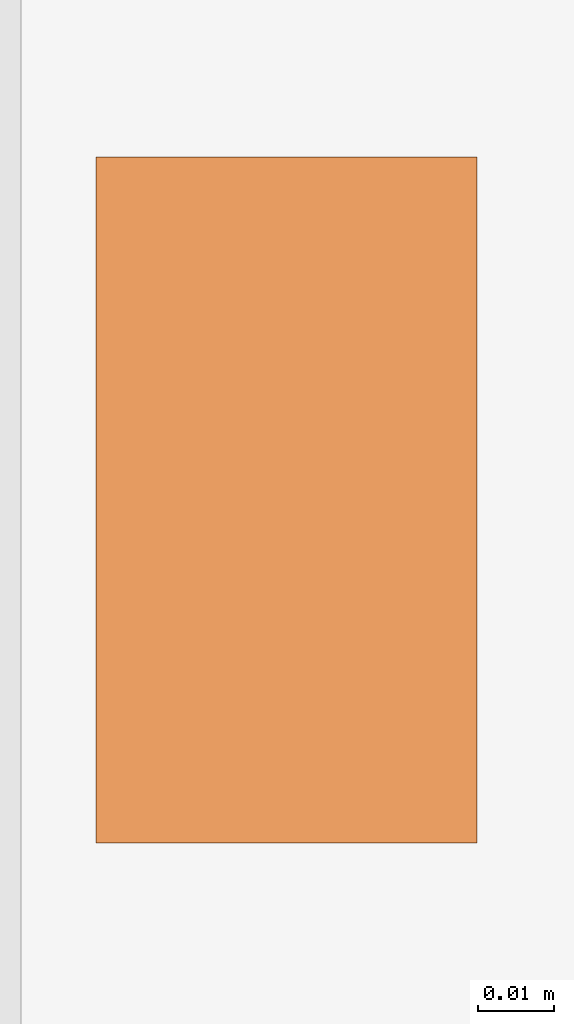
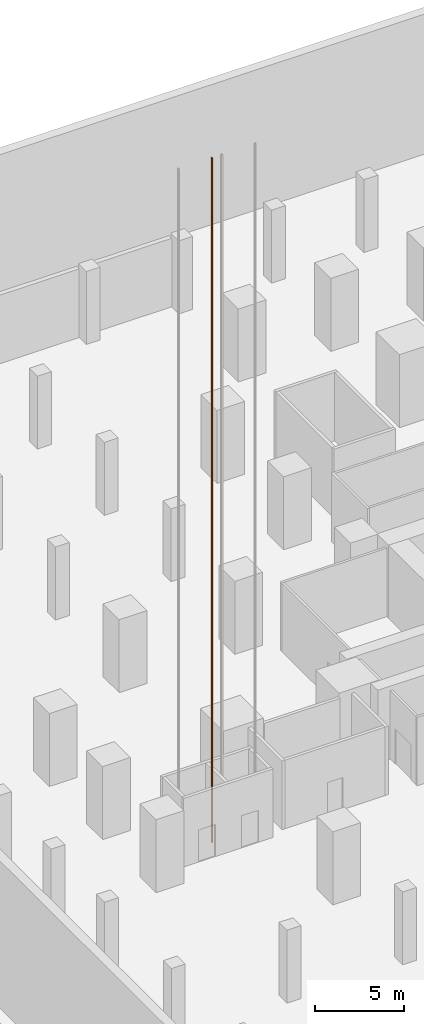
# One storey, part 25 of 31: 1 proxy.
"""IFC4 building model written with IfcOpenShell, lengths in metres."""

from ifc_helpers import new_model, si_unit, direction, frame, origin, origin_2d, place, context, subcontext, project, spatial, rectangle, extrude, material, element, save


model = new_model("IFC4")

# Units and contexts
model_context = context("Model", 3, precision=1e-05, world=origin(), true_north=direction((0.0, 1.0)))
body_context = subcontext(model_context, "Body", "Model", "MODEL_VIEW")
ifc_project = project(units=[si_unit("LENGTHUNIT", "METRE"), si_unit("AREAUNIT", "SQUARE_METRE"), si_unit("VOLUMEUNIT", "CUBIC_METRE"), si_unit("PLANEANGLEUNIT", "RADIAN"), si_unit("MASSUNIT", "GRAM", prefix="KILO")], contexts=[model_context])

# Site, building, storey
site_placement = place(None, origin())
site = spatial("IfcSite", under=ifc_project, at=site_placement, CompositionType="ELEMENT")
building_placement = place(site_placement, origin())
building = spatial("IfcBuilding", under=site, at=building_placement, Name="Mizan Broadcast Tower", CompositionType="ELEMENT")
storey_placement = place(building_placement, frame((0.0, 0.0, -10.0)))
storey = spatial("IfcBuildingStorey", under=building, at=storey_placement, Name="B2", CompositionType="ELEMENT", Elevation=-10.0)

# Proxy
ifc_material = material(Name="Steel guide rail", Category="steel")
proxy_placement = place(storey_placement, frame((-30.715087890625, -4.199951171875, 0.0), z_axis=(0.0, 0.0, 1.0), x_axis=(1.0, 0.0, 0.0)))
element("IfcBuildingElementProxy", 1, at=proxy_placement, inside=storey, material=ifc_material, Name="Guide rail PL2-2", PredefinedType="NOTDEFINED", context=body_context, shape_type="SweptSolid", body=[
    extrude(rectangle(XDim=0.050048828125, YDim=0.090087890625, at=origin_2d()), origin(), (0.0, 0.0, 1.0), 46.949951171875),
])

save(model, "model.ifc")
